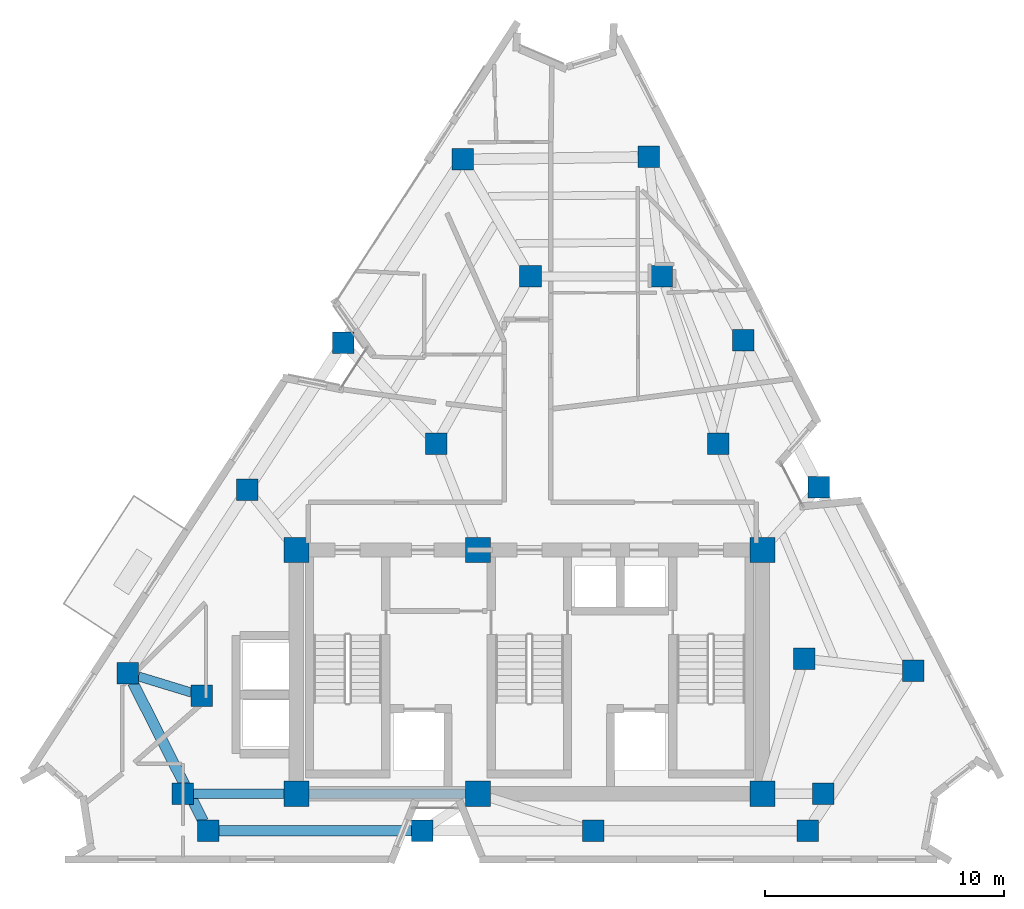
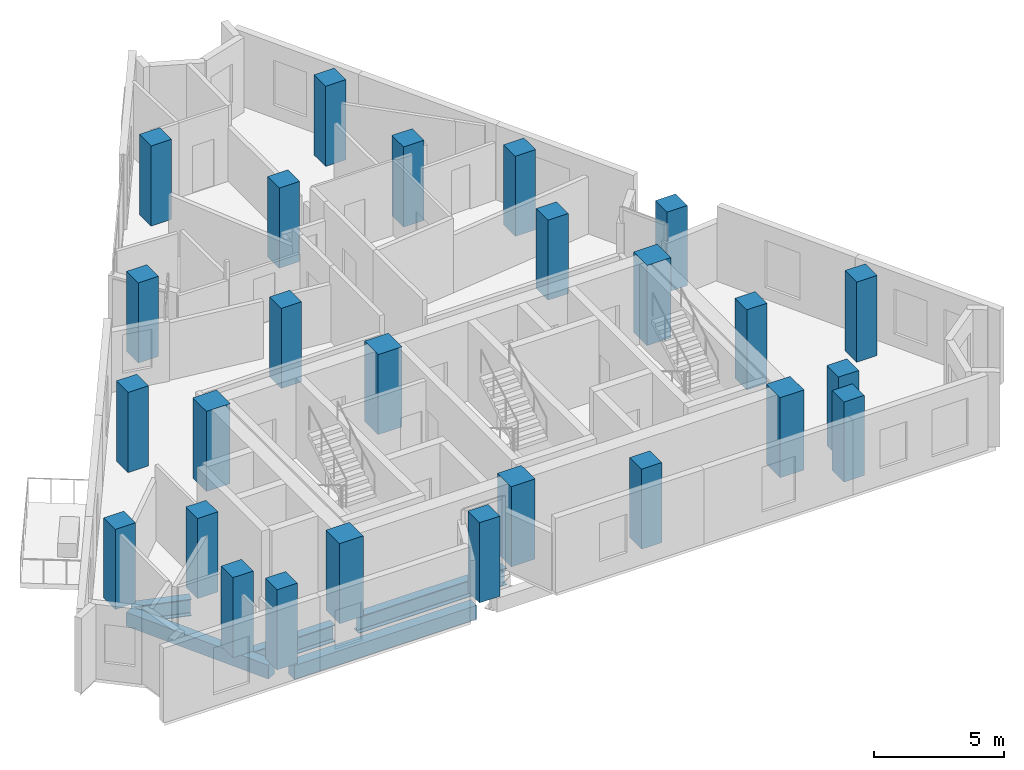
# One storey, part 1 of 11: 26 columns, 5 beams.
"""IFC4 building model written with IfcOpenShell, lengths in metres."""

from ifc_helpers import new_model, si_unit, direction, frame, origin, origin_2d, place, context, subcontext, project, spatial, rectangle, i_section, extrude, material, material_profile, profile_set, type_object, element, save


model = new_model("IFC4")

# Units and contexts
model_context = context("Model", 3, precision=1e-05, world=origin(), true_north=direction((0.0, 1.0)))
body_context = subcontext(model_context, "Body", "Model", "MODEL_VIEW")
ifc_project = project(units=[si_unit("LENGTHUNIT", "METRE"), si_unit("AREAUNIT", "SQUARE_METRE"), si_unit("VOLUMEUNIT", "CUBIC_METRE"), si_unit("PLANEANGLEUNIT", "RADIAN"), si_unit("MASSUNIT", "GRAM", prefix="KILO")], contexts=[model_context])

# Site, building, storey
site_placement = place(None, origin())
site = spatial("IfcSite", under=ifc_project, at=site_placement, CompositionType="ELEMENT")
building_placement = place(site_placement, origin())
building = spatial("IfcBuilding", under=site, at=building_placement, Name="Almagre Mirador Tower", CompositionType="ELEMENT")
storey_placement = place(building_placement, frame((0.0, 0.0, 218.25)))
storey = spatial("IfcBuildingStorey", under=building, at=storey_placement, Name="L56", CompositionType="ELEMENT", Elevation=218.25)

# Columns
ifc_material_1 = material(Name="Concrete C60/75", Category="concrete")
ifc_material_profile_1 = material_profile(ifc_material_1, rectangle(XDim=1.050048828125, YDim=1.050048828125, at=origin_2d()), Name="RC1050X1050")
ifc_profile_set_1 = profile_set([ifc_material_profile_1], Name="Concrete C60/75")
column_type_1 = type_object("IfcColumnType", Name="COL-RC1050", PredefinedType="COLUMN", material=ifc_profile_set_1)
for number, where, z_axis, x_axis, name in (
    (1, (27.550048828125, 4.550048828125, 0.0), (0.0, 0.0, 1.0), (1.0, 0.0, 0.0), "L56 core spine column CC1"),
    (2, (35.14990234375, 4.550048828125, 0.0), (0.0, 0.0, 1.0), (1.0, 0.0, 0.0), "L56 core spine column CC2"),
    (3, (47.050048828125, 4.550048828125, 0.0), (0.0, 0.0, 1.0), (1.0, 0.0, 0.0), "L56 core spine column CC3"),
    (4, (27.550048828125, 14.75, 0.0), (0.0, 0.0, 1.0), (1.0, 0.0, 0.0), "L56 core spine column CC4"),
    (5, (35.14990234375, 14.75, 0.0), (0.0, 0.0, 1.0), (1.0, 0.0, 0.0), "L56 core spine column CC5"),
    (6, (47.050048828125, 14.75, 0.0), (0.0, 0.0, 1.0), (1.0, 0.0, 0.0), "L56 core spine column CC6"),
):
    element("IfcColumn", number, at=place(storey_placement, frame(where, z_axis=z_axis, x_axis=x_axis)), inside=storey, type_object=column_type_1, Name=name, PredefinedType="COLUMN", context=body_context, shape_type="SweptSolid", body=[
        extrude(rectangle(XDim=1.050048828125, YDim=1.050048828125, at=origin_2d()), origin(), (0.0, 0.0, 1.0), 3.75),
    ])
ifc_material_2 = material(Name="Concrete C60/75", Category="concrete")
ifc_material_profile_2 = material_profile(ifc_material_2, rectangle(XDim=0.89990234375, YDim=0.89990234375, at=origin_2d()), Name="RC900X900")
ifc_profile_set_2 = profile_set([ifc_material_profile_2], Name="Concrete C60/75")
column_type_2 = type_object("IfcColumnType", Name="COL-RC900", PredefinedType="COLUMN", material=ifc_profile_set_2)
for number, where, z_axis, x_axis, name in (
    (7, (22.800048828125, 4.550048828125, 0.0), (0.0, 0.0, 1.0), (1.0, 0.0, 0.0), "L56 interior transfer column MC1"),
    (8, (49.60009765625, 4.550048828125, 0.0), (0.0, 0.0, 1.0), (1.0, 0.0, 0.0), "L56 interior transfer column MC2"),
    (9, (48.800048828125, 10.199951171875, 0.0), (0.0, 0.0, 1.0), (1.0, 0.0, 0.0), "L56 interior transfer column MC3"),
    (10, (45.199951171875, 19.199951171875, 0.0), (0.0, 0.0, 1.0), (1.0, 0.0, 0.0), "L56 interior transfer column MC5"),
    (11, (42.85009765625, 26.199951171875, 0.0), (0.0, 0.0, 1.0), (1.0, 0.0, 0.0), "L56 interior transfer column MC6"),
    (12, (37.35009765625, 26.199951171875, 0.0), (0.0, 0.0, 1.0), (1.0, 0.0, 0.0), "L56 interior transfer column MC7"),
    (13, (33.39990234375, 19.199951171875, 0.0), (0.0, 0.0, 1.0), (1.0, 0.0, 0.0), "L56 interior transfer column MC8"),
    (14, (23.60009765625, 8.64990234375, 0.0), (0.0, 0.0, 1.0), (1.0, 0.0, 0.0), "L56 interior transfer column MC10"),
    (15, (23.85595703125, 3.0, 0.0), (0.0, 0.0, 1.0), (1.0, 0.0, 0.0), "L56 perimeter column PC01"),
    (16, (32.81591796875, 3.0, 0.0), (0.0, 0.0, 1.0), (1.0, 0.0, 0.0), "L56 perimeter column PC02"),
    (17, (39.98388671875, 3.0, 0.0), (0.0, 0.0, 1.0), (1.0, 0.0, 0.0), "L56 perimeter column PC03"),
    (18, (48.944091796875, 3.0, 0.0), (0.0, 0.0, 1.0), (1.0, 0.0, 0.0), "L56 perimeter column PC04"),
    (19, (53.376953125, 9.697998046875, 0.0), (0.0, 0.0, 1.0), (1.0, 0.0, 0.0), "L56 perimeter column PC05"),
    (20, (49.4169921875, 17.3779296875, 0.0), (0.0, 0.0, 1.0), (1.0, 0.0, 0.0), "L56 perimeter column PC06"),
    (21, (46.2490234375, 23.52197265625, 0.0), (0.0, 0.0, 1.0), (1.0, 0.0, 0.0), "L56 perimeter column PC07"),
    (22, (42.2890625, 31.201904296875, 0.0), (0.0, 0.0, 1.0), (1.0, 0.0, 0.0), "L56 perimeter column PC08"),
    (23, (34.506103515625, 31.096923828125, 0.0), (0.0, 0.0, 1.0), (1.0, 0.0, 0.0), "L56 perimeter column PC09"),
    (24, (29.506103515625, 23.4169921875, 0.0), (0.0, 0.0, 1.0), (1.0, 0.0, 0.0), "L56 perimeter column PC10"),
    (25, (25.506103515625, 17.27294921875, 0.0), (0.0, 0.0, 1.0), (1.0, 0.0, 0.0), "L56 perimeter column PC11"),
    (26, (20.506103515625, 9.593017578125, 0.0), (0.0, 0.0, 1.0), (1.0, 0.0, 0.0), "L56 perimeter column PC12"),
):
    element("IfcColumn", number, at=place(storey_placement, frame(where, z_axis=z_axis, x_axis=x_axis)), inside=storey, type_object=column_type_2, Name=name, PredefinedType="COLUMN", context=body_context, shape_type="SweptSolid", body=[
        extrude(rectangle(XDim=0.89990234375, YDim=0.89990234375, at=origin_2d()), origin(), (0.0, 0.0, 1.0), 3.75),
    ])

# Beams
ifc_material_3 = material(Name="Precast concrete C50/60", Category="concrete")
ifc_material_profile_3 = material_profile(ifc_material_3, rectangle(XDim=0.449951171875, YDim=0.64990234375, at=origin_2d()), Name="RC450X650")
ifc_profile_set_3 = profile_set([ifc_material_profile_3], Name="Precast concrete C50/60")
beam_type_1 = type_object("IfcBeamType", Name="BM-SPN-RC450X650", PredefinedType="SPANDREL", material=ifc_profile_set_3)
beam_1_placement = place(storey_placement, frame((24.305908203125, 3.0, -0.574951171875), z_axis=(1.0, 0.0, 0.0), x_axis=(0.0, 1.0, 0.0)))
element("IfcBeam", 27, at=beam_1_placement, inside=storey, type_object=beam_type_1, Name="L56 perimeter spandrel beam PC01-PC02", PredefinedType="SPANDREL", context=body_context, shape_type="SweptSolid", body=[
    extrude(rectangle(XDim=0.449951171875, YDim=0.64990234375, at=origin_2d()), origin(), (0.0, 0.0, 1.0), 8.06005859375),
])
beam_2_placement = place(storey_placement, frame((20.709716796875, 9.19189453125, -0.574951171875), z_axis=(0.452992552256, -0.891514300278, 0.0), x_axis=(0.891514300278, 0.452992552256, 0.0)))
element("IfcBeam", 28, at=beam_2_placement, inside=storey, type_object=beam_type_1, Name="L56 perimeter spandrel beam PC12-PC01", PredefinedType="SPANDREL", context=body_context, shape_type="SweptSolid", body=[
    extrude(rectangle(XDim=0.449951171875, YDim=0.64990234375, at=origin_2d()), origin(), (0.0, 0.0, 1.0), 6.495361328125),
])
ifc_material_4 = material(Name="Steel ASTM A992 Grade 50", Category="steel")
ifc_material_profile_4 = material_profile(ifc_material_4, i_section(OverallWidth=0.384033203125, OverallDepth=0.784912109375, WebThickness=0.019775390625, FlangeThickness=0.033447265625, FilletRadius=0.02392578125, at=origin_2d()), Name="W30X211")
ifc_profile_set_4 = profile_set([ifc_material_profile_4], Name="Steel ASTM A992 Grade 50")
beam_type_2 = type_object("IfcBeamType", Name="BM-STL-W30X211", PredefinedType="BEAM", material=ifc_profile_set_4)
beam_3_placement = place(storey_placement, frame((28.074951171875, 4.550048828125, -0.642578125), z_axis=(1.0, 0.0, 0.0), x_axis=(0.0, 1.0, 0.0)))
element("IfcBeam", 29, at=beam_3_placement, inside=storey, type_object=beam_type_2, Name="L56 core tie girder CC1-CC2", PredefinedType="BEAM", context=body_context, shape_type="SweptSolid", body=[
    extrude(i_section(OverallWidth=0.384033203125, OverallDepth=0.784912109375, WebThickness=0.019775390625, FlangeThickness=0.033447265625, FilletRadius=0.02392578125, at=origin_2d()), origin(), (0.0, 0.0, 1.0), 6.550048828125),
])
beam_4_placement = place(storey_placement, frame((23.25, 4.550048828125, -0.642578125), z_axis=(1.0, 0.0, 0.0), x_axis=(0.0, 1.0, 0.0)))
element("IfcBeam", 30, at=beam_4_placement, inside=storey, type_object=beam_type_2, Name="L56 core tie girder MC1-CC1", PredefinedType="BEAM", context=body_context, shape_type="SweptSolid", body=[
    extrude(i_section(OverallWidth=0.384033203125, OverallDepth=0.784912109375, WebThickness=0.019775390625, FlangeThickness=0.033447265625, FilletRadius=0.02392578125, at=origin_2d()), origin(), (0.0, 0.0, 1.0), 3.77490234375),
])
beam_5_placement = place(storey_placement, frame((20.9365234375, 9.4619140625, -0.642578125), z_axis=(0.956544591639, -0.291586083697, 0.0), x_axis=(0.291586083697, 0.956544591639, 0.0)))
element("IfcBeam", 31, at=beam_5_placement, inside=storey, type_object=beam_type_2, Name="L56 radial floor girder PC12-MC10", PredefinedType="BEAM", context=body_context, shape_type="SweptSolid", body=[
    extrude(i_section(OverallWidth=0.384033203125, OverallDepth=0.784912109375, WebThickness=0.019775390625, FlangeThickness=0.033447265625, FilletRadius=0.02392578125, at=origin_2d()), origin(), (0.0, 0.0, 1.0), 2.334228515625),
])

save(model, "model.ifc")
